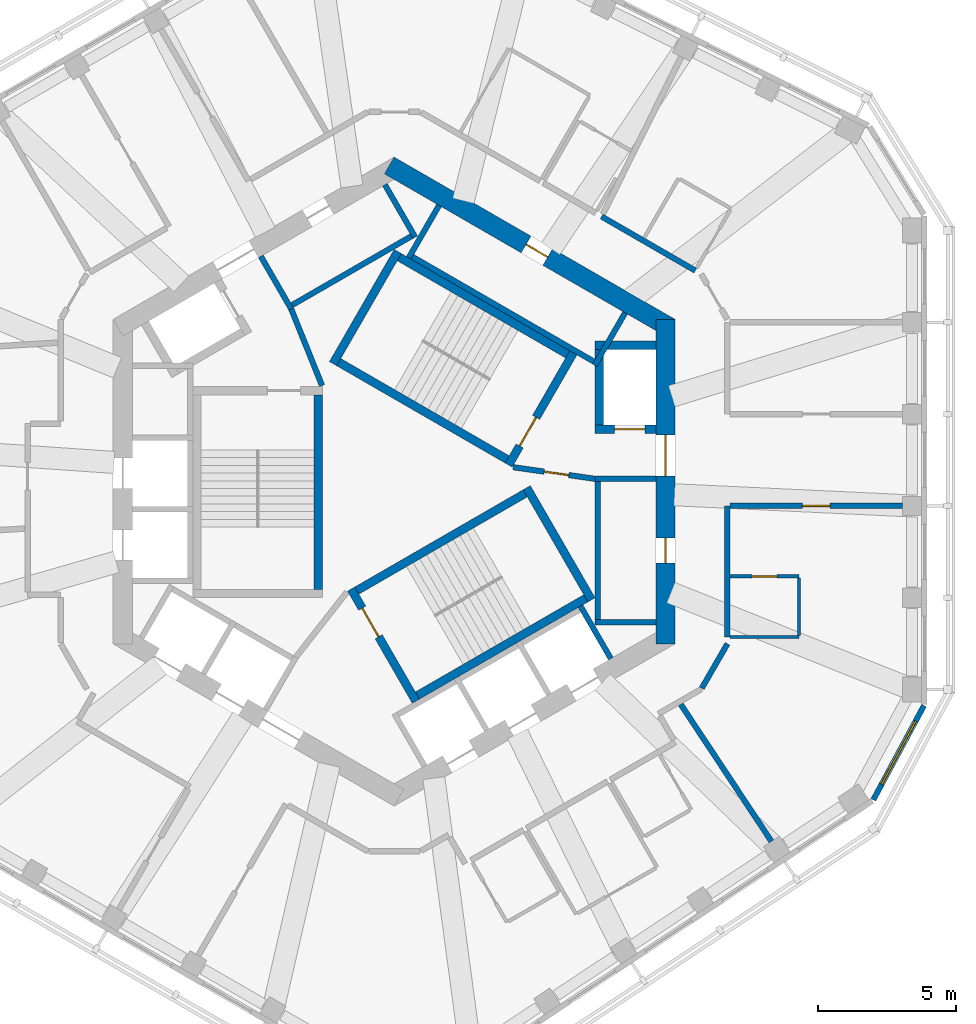
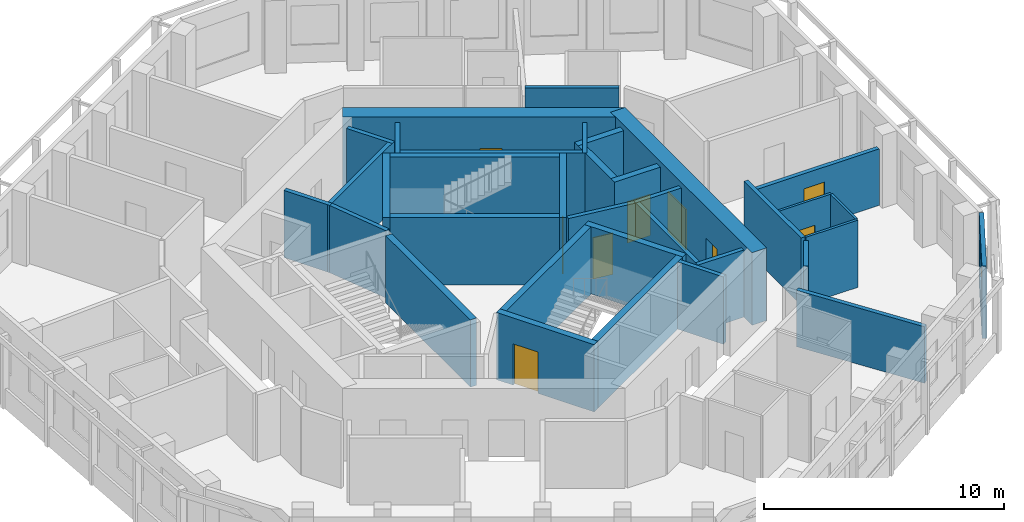
# One storey, part 6 of 11: 35 walls, 9 doors, 1 window, 10 openings.
"""IFC4 building model written with IfcOpenShell, lengths in metres."""

import ifcopenshell
import ifcopenshell.guid

model = None  # the IFC model being written
_history = None  # IfcOwnerHistory: only IFC2X3 demands one
_inside = {}  # id of a spatial element -> (the spatial element, [elements in it])
_under = {}  # id of a project, library or spatial element -> (it, [spatial elements below it])
_declared = {}  # id of a project -> (the project, [libraries it declares])
_typed = {}  # id of a type object -> (the type object, [elements of that type])
_made_of = {}  # id of a material, layer set ... -> (it, [elements and type objects made of it])


def new_model(schema):
    """Start an empty IFC model of exactly this schema.

    Asked for "IFC4X3", IfcOpenShell would pick the latest addendum, in which some entities
    have other attributes; the version numbers below select the first issue.
    IFC2X3 requires an IfcOwnerHistory on every rooted entity: one is made here for all.
    """
    global model, _history
    if schema == "IFC4X3":
        model = ifcopenshell.file(schema_version=(4, 3, 0, 0))
    else:
        model = ifcopenshell.file(schema=schema)
    _inside.clear()
    _under.clear()
    _declared.clear()
    _typed.clear()
    _made_of.clear()
    _history = None
    if model.schema == "IFC2X3":
        org = make("IfcOrganization", Name="unknown")
        user = make(
            "IfcPersonAndOrganization",
            ThePerson=make("IfcPerson", FamilyName="unknown"),
            TheOrganization=org,
        )
        app = make(
            "IfcApplication",
            ApplicationDeveloper=org,
            Version="unknown",
            ApplicationFullName="unknown",
            ApplicationIdentifier="unknown",
        )
        _history = make(
            "IfcOwnerHistory",
            OwningUser=user,
            OwningApplication=app,
            ChangeAction="ADDED",
            CreationDate=0,
        )
    return model


def make(cls, **values):
    """One entity of the class cls with the attributes given. An attribute that is None is left unset."""
    return model.create_entity(
        cls, **{name: value for name, value in values.items() if value is not None}
    )


def rooted(cls, **values):
    """An entity with a GlobalId (a new one), such as an element, a storey or a relation."""
    return make(cls, GlobalId=ifcopenshell.guid.new(), OwnerHistory=_history, **values)


def si_unit(unit_type, name, prefix=None):
    """IfcSIUnit, for example si_unit("LENGTHUNIT", "METRE", prefix="MILLI")."""
    return make("IfcSIUnit", UnitType=unit_type, Prefix=prefix, Name=name)


def assignment(units):
    """IfcUnitAssignment: the units of a project."""
    return None if units is None else make("IfcUnitAssignment", Units=units)


def point(xyz):
    """IfcCartesianPoint."""
    return None if xyz is None else make("IfcCartesianPoint", Coordinates=xyz)


def direction(xyz):
    """IfcDirection."""
    return None if xyz is None else make("IfcDirection", DirectionRatios=xyz)


def frame(location, z_axis=None, x_axis=None):
    """IfcAxis2Placement3D, a coordinate frame: its origin and axes. An axis left out is left unset."""
    return make(
        "IfcAxis2Placement3D",
        Location=point(location),
        Axis=direction(z_axis),
        RefDirection=direction(x_axis),
    )


def frame_2d(location, x_axis=None):
    """IfcAxis2Placement2D, a coordinate frame in the plane: its origin and x axis."""
    return make(
        "IfcAxis2Placement2D", Location=point(location), RefDirection=direction(x_axis)
    )


def origin():
    """The frame at (0, 0, 0) with its axes left unset."""
    return frame((0.0, 0.0, 0.0))


def place(relative_to, where):
    """IfcLocalPlacement: puts the frame where relative to a parent placement (None: the world)."""
    return make(
        "IfcLocalPlacement", PlacementRelTo=relative_to, RelativePlacement=where
    )


def context(
    kind, dimensions, precision=None, world=None, true_north=None, identifier=None
):
    """IfcGeometricRepresentationContext, for example the 3D "Model" context."""
    return make(
        "IfcGeometricRepresentationContext",
        ContextIdentifier=identifier,
        ContextType=kind,
        CoordinateSpaceDimension=dimensions,
        Precision=precision,
        WorldCoordinateSystem=world,
        TrueNorth=true_north,
    )


def subcontext(parent, identifier, kind, view, scale=None):
    """IfcGeometricRepresentationSubContext, for example "Body" below "Model"."""
    return make(
        "IfcGeometricRepresentationSubContext",
        ContextIdentifier=identifier,
        ContextType=kind,
        ParentContext=parent,
        TargetScale=scale,
        TargetView=view,
    )


def project(units=None, contexts=None):
    """IfcProject with its units and contexts."""
    return rooted(
        "IfcProject",
        Name="project",
        RepresentationContexts=contexts,
        UnitsInContext=assignment(units),
    )


def spatial(cls, under=None, at=None, **own):
    """A site, building, storey or space (cls), placed at a placement, below another one or the project."""
    s = rooted(cls, ObjectPlacement=at, **own)
    if under is not None:
        _under.setdefault(under.id(), (under, []))[1].append(s)
    return s


def profile(cls, at=None, kind="AREA", **sizes):
    """A parametric profile (cls). Its sizes go by their IFC names, for example OverallWidth=200.0."""
    return make(cls, ProfileType=kind, Position=at, **sizes)


def rectangle(**sizes):
    """IfcRectangleProfileDef."""
    return profile("IfcRectangleProfileDef", **sizes)


def extrude(swept, where, along, depth):
    """IfcExtrudedAreaSolid: the profile swept, set in the frame where, extruded along a direction by depth."""
    return make(
        "IfcExtrudedAreaSolid",
        SweptArea=swept,
        Position=where,
        ExtrudedDirection=direction(along),
        Depth=depth,
    )


def shape(context_of_items, identifier, shape_type, items):
    """IfcShapeRepresentation: the items that make up one representation, for example the "Body"."""
    return make(
        "IfcShapeRepresentation",
        ContextOfItems=context_of_items,
        RepresentationIdentifier=identifier,
        RepresentationType=shape_type,
        Items=items,
    )


def material(Name=None, Category=None):
    """IfcMaterial."""
    return make("IfcMaterial", Name=Name, Category=Category)


def layer(
    of_material, thickness, ventilated=None, Name=None, Category=None, Priority=None
):
    """IfcMaterialLayer: one layer of a wall or slab, of a material (None: an air gap)."""
    return make(
        "IfcMaterialLayer",
        Material=of_material,
        LayerThickness=thickness,
        IsVentilated=ventilated,
        Name=Name,
        Category=Category,
        Priority=Priority,
    )


def layer_set(layers, Name=None):
    """IfcMaterialLayerSet."""
    return make("IfcMaterialLayerSet", MaterialLayers=layers, LayerSetName=Name)


def made_of(thing, what):
    """Note that an element or type object is made of a material, layer set ...; save() writes the relation."""
    if what is not None:
        _made_of.setdefault(what.id(), (what, []))[1].append(thing)
    return thing


def type_object(cls, material=None, **own):
    """A type object (cls), such as IfcWallType, which elements share."""
    return made_of(rooted(cls, **own), material)


def element(
    cls,
    number,
    at=None,
    inside=None,
    cuts=None,
    type_object=None,
    material=None,
    context=None,
    identifier="Body",
    shape_type=None,
    held_by="IfcProductDefinitionShape",
    body=None,
    shapes=None,
    **own,
):
    """One element of the class cls, such as IfcWall. Its Tag is "e" and its number.

    at: its placement. inside: the storey or other place that contains it. cuts: it is an
    opening in that element (IfcRelVoidsElement). A single representation is given by context,
    identifier, shape_type and body (its items); several are given by shapes. held_by: the class
    of the entity that holds the representations. save() writes the other relations.
    """
    e = rooted(cls, Tag="e%d" % number, ObjectPlacement=at, **own)
    if body is not None:
        shapes = [shape(context, identifier, shape_type, body)]
    if shapes is not None:
        e.Representation = make(held_by, Representations=shapes)
    if inside is not None:
        _inside.setdefault(inside.id(), (inside, []))[1].append(e)
    if cuts is not None:
        rooted(
            "IfcRelVoidsElement", RelatingBuildingElement=cuts, RelatedOpeningElement=e
        )
    if type_object is not None:
        _typed.setdefault(type_object.id(), (type_object, []))[1].append(e)
    return made_of(e, material)


def fill(opening, filler):
    """IfcRelFillsElement: the door or window that sits in an opening."""
    return rooted(
        "IfcRelFillsElement",
        RelatingOpeningElement=opening,
        RelatedBuildingElement=filler,
    )


def aggregate(whole, parts):
    """IfcRelAggregates: a whole, such as a stair, and the parts it consists of."""
    return rooted("IfcRelAggregates", RelatingObject=whole, RelatedObjects=parts)


def save(model, path):
    """Write the relations noted so far, then the file.

    IfcRelAggregates (storeys below a building ...), IfcRelContainedInSpatialStructure (elements
    in a storey), IfcRelDefinesByType, IfcRelAssociatesMaterial and IfcRelDeclares: one each for
    every whole, place, type object, material and project.
    """
    for whole, parts in _under.values():
        aggregate(whole, parts)
    for where, things in _inside.values():
        rooted(
            "IfcRelContainedInSpatialStructure",
            RelatedElements=things,
            RelatingStructure=where,
        )
    for kind, things in _typed.values():
        rooted("IfcRelDefinesByType", RelatedObjects=things, RelatingType=kind)
    for what, things in _made_of.values():
        rooted("IfcRelAssociatesMaterial", RelatedObjects=things, RelatingMaterial=what)
    for by, libraries in _declared.values():
        rooted("IfcRelDeclares", RelatingContext=by, RelatedDefinitions=libraries)
    model.write(path)


model = new_model("IFC4")

# Units and contexts
model_context = context("Model", 3, precision=1e-05, world=origin(), true_north=direction((0.0, 1.0)))
body_context = subcontext(model_context, "Body", "Model", "MODEL_VIEW")
ifc_project = project(units=[si_unit("LENGTHUNIT", "METRE"), si_unit("AREAUNIT", "SQUARE_METRE"), si_unit("VOLUMEUNIT", "CUBIC_METRE"), si_unit("PLANEANGLEUNIT", "RADIAN"), si_unit("MASSUNIT", "GRAM", prefix="KILO")], contexts=[model_context])

# Site, building, storey
site_placement = place(None, origin())
site = spatial("IfcSite", under=ifc_project, at=site_placement, CompositionType="ELEMENT")
building_placement = place(site_placement, origin())
building = spatial("IfcBuilding", under=site, at=building_placement, Name="Vanh Sen Convention Tower", CompositionType="ELEMENT")
storey_placement = place(building_placement, frame((0.0, 0.0, 293.10009765625)))
storey = spatial("IfcBuildingStorey", under=building, at=storey_placement, Name="L72", CompositionType="ELEMENT", Elevation=293.10009765625)

# Wall, opening, door
ifc_material_1 = material(Name="Moisture-resistant gypsum board on steel studs", Category="steel")
ifc_layer_1 = layer(ifc_material_1, 0.1201171875)
ifc_layer_set_1 = layer_set([ifc_layer_1], Name="Moisture-resistant gypsum board on steel studs")
wall_type_1 = type_object("IfcWallType", Name="Bathroom partition 120", PredefinedType="PARTITIONING", material=ifc_layer_set_1)
wall_1_placement = place(storey_placement, frame((12.199951171875, -3.43896484375, 0.0), z_axis=(0.0, 0.0, 1.0), x_axis=(1.0, 0.0, 0.0)))
wall_1 = element("IfcWall", 1, at=wall_1_placement, inside=storey, type_object=wall_type_1, Name="Bathroom partition 120", PredefinedType="PARTITIONING", context=body_context, shape_type="SweptSolid", body=[
    extrude(rectangle(XDim=2.5, YDim=0.1201171875, at=frame_2d((1.25, 0.0))), origin(), (0.0, 0.0, 1.0), 3.419921875),
])
opening_1_placement = place(wall_1_placement, frame((0.800048828125, 0.0, 0.0)))
opening_1 = element("IfcOpeningElement", 2, at=opening_1_placement, cuts=wall_1, Name="Opening D72120", PredefinedType="OPENING", context=body_context, shape_type="SweptSolid", body=[
    extrude(rectangle(XDim=0.89990234375, YDim=2.10009765625, at=frame_2d((0.449951171875, 1.050048828125))), frame((0.0, 0.070068359375, 0.0), z_axis=(0.0, -1.0, 0.0), x_axis=(1.0, 0.0, 0.0)), (0.0, 0.0, 1.0), 0.14013671875),
])
ifc_material_2 = material(Name="Laminate door in steel frame", Category="steel")
door_type_1 = type_object("IfcDoorType", Name="Room internal door 900", OperationType="SINGLE_SWING_LEFT", PredefinedType="DOOR", material=ifc_material_2)
door_1_placement = place(opening_1_placement, origin())
door_1 = element("IfcDoor", 3, at=door_1_placement, inside=storey, type_object=door_type_1, Name="Internal room door D72120", OperationType="SINGLE_SWING_LEFT", OverallHeight=2.10009765625, OverallWidth=0.89990234375, PredefinedType="DOOR", context=body_context, shape_type="SweptSolid", body=[
    extrude(rectangle(XDim=0.89990234375, YDim=2.10009765625, at=frame_2d((0.449951171875, 1.050048828125))), frame((0.0, 0.02490234375, 0.0), z_axis=(0.0, -1.0, 0.0), x_axis=(1.0, 0.0, 0.0)), (0.0, 0.0, 1.0), 0.050048828125),
])
fill(opening_1, door_1)

# Walls
wall_2_placement = place(storey_placement, frame((14.699951171875, -5.638916015625, 0.0), z_axis=(0.0, 0.0, 1.0), x_axis=(-1.0, 0.0, 0.0)))
element("IfcWall", 4, at=wall_2_placement, inside=storey, type_object=wall_type_1, Name="Bathroom partition 120", PredefinedType="PARTITIONING", context=body_context, shape_type="SweptSolid", body=[
    extrude(rectangle(XDim=2.5, YDim=0.1201171875, at=frame_2d((1.25, 0.0))), origin(), (0.0, 0.0, 1.0), 3.419921875),
])
wall_3_placement = place(storey_placement, frame((14.699951171875, -3.4990234375, 0.0), z_axis=(0.0, 0.0, 1.0), x_axis=(0.0, -1.0, 0.0)))
element("IfcWall", 5, at=wall_3_placement, inside=storey, type_object=wall_type_1, Name="Bathroom partition 120", PredefinedType="PARTITIONING", context=body_context, shape_type="SweptSolid", body=[
    extrude(rectangle(XDim=2.080078125, YDim=0.1201171875, at=frame_2d((1.0400390625, 0.0))), origin(), (0.0, 0.0, 1.0), 3.419921875),
])

# Wall, openings, doors
ifc_material_3 = material(Name="Concrete C60/75", Category="concrete")
ifc_layer_2 = layer(ifc_material_3, 0.699951171875)
ifc_layer_set_2 = layer_set([ifc_layer_2], Name="Concrete C60/75")
wall_type_2 = type_object("IfcWallType", Name="Core outer wall 700 C60/75", PredefinedType="SHEAR", material=ifc_layer_set_2)
wall_4_placement = place(storey_placement, frame((9.85009765625, -5.888916015625, 0.0), z_axis=(0.0, 0.0, 1.0), x_axis=(0.0, 1.0, 0.0)))
wall_4 = element("IfcWall", 6, at=wall_4_placement, inside=storey, type_object=wall_type_2, Name="Core wall face E L72", PredefinedType="SHEAR", context=body_context, shape_type="SweptSolid", body=[
    extrude(rectangle(XDim=11.77783203125, YDim=0.699951171875, at=frame_2d((5.888916015625, 0.0))), origin(), (0.0, 0.0, 1.0), 3.699951171875),
])
opening_2_placement = place(wall_4_placement, frame((6.089111328125, 0.0, 0.0)))
opening_2 = element("IfcOpeningElement", 7, at=opening_2_placement, cuts=wall_4, Name="Opening D72001", PredefinedType="OPENING", context=body_context, shape_type="SweptSolid", body=[
    extrude(rectangle(XDim=1.5, YDim=2.10009765625, at=frame_2d((0.75, 1.050048828125))), frame((0.0, 0.35986328125, 0.0), z_axis=(0.0, -1.0, 0.0), x_axis=(1.0, 0.0, 0.0)), (0.0, 0.0, 1.0), 0.719970703125),
])
opening_3_placement = place(wall_4_placement, frame((2.93896484375, 0.0, 0.0)))
opening_3 = element("IfcOpeningElement", 8, at=opening_3_placement, cuts=wall_4, Name="Opening D72008", PredefinedType="OPENING", context=body_context, shape_type="SweptSolid", body=[
    extrude(rectangle(XDim=0.89990234375, YDim=2.10009765625, at=frame_2d((0.449951171875, 1.050048828125))), frame((0.0, 0.35986328125, 0.0), z_axis=(0.0, -1.0, 0.0), x_axis=(1.0, 0.0, 0.0)), (0.0, 0.0, 1.0), 0.719970703125),
])
ifc_material_4 = material(Name="Steel S355", Category="steel")
door_type_2 = type_object("IfcDoorType", Name="Plant door 900", OperationType="SINGLE_SWING_LEFT", PredefinedType="DOOR", material=ifc_material_4)
door_2_placement = place(opening_3_placement, origin())
door_2 = element("IfcDoor", 9, at=door_2_placement, inside=storey, type_object=door_type_2, Name="Plant door D72008", OperationType="SINGLE_SWING_LEFT", OverallHeight=2.10009765625, OverallWidth=0.89990234375, PredefinedType="DOOR", context=body_context, shape_type="SweptSolid", body=[
    extrude(rectangle(XDim=0.89990234375, YDim=2.10009765625, at=frame_2d((0.449951171875, 1.050048828125))), frame((0.0, 0.02490234375, 0.0), z_axis=(0.0, -1.0, 0.0), x_axis=(1.0, 0.0, 0.0)), (0.0, 0.0, 1.0), 0.050048828125),
])
fill(opening_3, door_2)
door_type_3 = type_object("IfcDoorType", Name="Stair lobby door 1500", OperationType="DOUBLE_DOOR_SINGLE_SWING", PredefinedType="DOOR", material=ifc_material_4)
door_3_placement = place(opening_2_placement, origin())
door_3 = element("IfcDoor", 10, at=door_3_placement, inside=storey, type_object=door_type_3, Name="Stair lobby door D72001", OperationType="DOUBLE_DOOR_SINGLE_SWING", OverallHeight=2.10009765625, OverallWidth=1.5, PredefinedType="DOOR", context=body_context, shape_type="SweptSolid", body=[
    extrude(rectangle(XDim=1.5, YDim=2.10009765625, at=frame_2d((0.75, 1.050048828125))), frame((0.0, 0.02490234375, 0.0), z_axis=(0.0, -1.0, 0.0), x_axis=(1.0, 0.0, 0.0)), (0.0, 0.0, 1.0), 0.050048828125),
])
fill(opening_2, door_3)

# Wall, opening, door
wall_5_placement = place(storey_placement, frame((10.02490234375, 5.5859375, 0.0), z_axis=(0.0, 0.0, 1.0), x_axis=(-0.866026453023, 0.499998182661, 0.0)))
wall_5 = element("IfcWall", 11, at=wall_5_placement, inside=storey, type_object=wall_type_2, Name="Core wall face NE L72", PredefinedType="SHEAR", context=body_context, shape_type="SweptSolid", body=[
    extrude(rectangle(XDim=11.77783203125, YDim=0.699951171875, at=frame_2d((5.888916015625, 0.0))), origin(), (0.0, 0.0, 1.0), 3.699951171875),
])
opening_4_placement = place(wall_5_placement, frame((5.138916015625, 0.0, 0.0)))
opening_4 = element("IfcOpeningElement", 12, at=opening_4_placement, cuts=wall_5, Name="Opening D72009", PredefinedType="OPENING", context=body_context, shape_type="SweptSolid", body=[
    extrude(rectangle(XDim=0.89990234375, YDim=2.10009765625, at=frame_2d((0.449951171875, 1.050048828125))), frame((0.0, 0.35986328125, 0.0), z_axis=(0.0, -1.0, 0.0), x_axis=(1.0, 0.0, 0.0)), (0.0, 0.0, 1.0), 0.719970703125),
])
door_4_placement = place(opening_4_placement, origin())
door_4 = element("IfcDoor", 13, at=door_4_placement, inside=storey, type_object=door_type_2, Name="Plant door D72009", OperationType="SINGLE_SWING_LEFT", OverallHeight=2.10009765625, OverallWidth=0.89990234375, PredefinedType="DOOR", context=body_context, shape_type="SweptSolid", body=[
    extrude(rectangle(XDim=0.89990234375, YDim=2.10009765625, at=frame_2d((0.449951171875, 1.050048828125))), frame((0.0, 0.02490234375, 0.0), z_axis=(0.0, -1.0, 0.0), x_axis=(1.0, 0.0, 0.0)), (0.0, 0.0, 1.0), 0.050048828125),
])
fill(opening_4, door_4)

# Walls
ifc_material_5 = material(Name="Gypsum board on steel studs with mineral wool", Category="steel")
ifc_layer_3 = layer(ifc_material_5, 0.199951171875)
ifc_layer_set_3 = layer_set([ifc_layer_3], Name="Gypsum board on steel studs with mineral wool")
wall_type_3 = type_object("IfcWallType", Name="Corridor partition wall 200", PredefinedType="PARTITIONING", material=ifc_layer_set_3)
wall_6_placement = place(storey_placement, frame((10.93359375, 7.659423828125, 0.0), z_axis=(0.0, 0.0, 1.0), x_axis=(-0.866034411203, 0.499984398369, 0.0)))
element("IfcWall", 14, at=wall_6_placement, inside=storey, type_object=wall_type_3, Name="Corridor partition wall 200", PredefinedType="PARTITIONING", context=body_context, shape_type="SweptSolid", body=[
    extrude(rectangle(XDim=3.926513671875, YDim=0.199951171875, at=frame_2d((1.96337890625, 0.0))), origin(), (0.0, 0.0, 1.0), 3.419921875),
])
wall_7_placement = place(storey_placement, frame((11.169921875, -7.5, 0.0), z_axis=(0.0, 0.0, 1.0), x_axis=(0.500006454166, 0.866021677438, 0.0)))
element("IfcWall", 15, at=wall_7_placement, inside=storey, type_object=wall_type_3, Name="Corridor partition wall 200", PredefinedType="PARTITIONING", context=body_context, shape_type="SweptSolid", body=[
    extrude(rectangle(XDim=1.8603515625, YDim=0.199951171875, at=frame_2d((0.93017578125, 0.0))), origin(), (0.0, 0.0, 1.0), 3.419921875),
])
wall_8_placement = place(storey_placement, frame((12.10009765625, -5.638916015625, 0.0), z_axis=(0.0, 0.0, 1.0), x_axis=(0.0, 1.0, 0.0)))
element("IfcWall", 16, at=wall_8_placement, inside=storey, type_object=wall_type_3, Name="Corridor partition wall 200", PredefinedType="PARTITIONING", context=body_context, shape_type="SweptSolid", body=[
    extrude(rectangle(XDim=4.755615234375, YDim=0.199951171875, at=frame_2d((2.3779296875, 0.0))), origin(), (0.0, 0.0, 1.0), 3.419921875),
])

# Wall, opening, door
wall_9_placement = place(storey_placement, frame((12.199951171875, -0.88330078125, 0.0), z_axis=(0.0, 0.0, 1.0), x_axis=(1.0, 0.0, 0.0)))
wall_9 = element("IfcWall", 17, at=wall_9_placement, inside=storey, type_object=wall_type_3, Name="Corridor partition wall 200", PredefinedType="PARTITIONING", context=body_context, shape_type="SweptSolid", body=[
    extrude(rectangle(XDim=6.25, YDim=0.199951171875, at=frame_2d((3.125, 0.0))), origin(), (0.0, 0.0, 1.0), 2.869873046875),
])
opening_5_placement = place(wall_9_placement, frame((2.625, 0.0, 0.0)))
opening_5 = element("IfcOpeningElement", 18, at=opening_5_placement, cuts=wall_9, Name="Opening D72119", PredefinedType="OPENING", context=body_context, shape_type="SweptSolid", body=[
    extrude(rectangle(XDim=1.0, YDim=2.10009765625, at=frame_2d((0.5, 1.050048828125))), frame((0.0, 0.10986328125, 0.0), z_axis=(0.0, -1.0, 0.0), x_axis=(1.0, 0.0, 0.0)), (0.0, 0.0, 1.0), 0.219970703125),
])
ifc_material_6 = material(Name="Glazed fire door in steel frame", Category="steel")
door_type_4 = type_object("IfcDoorType", Name="Tenant entrance door 1000", OperationType="SINGLE_SWING_LEFT", PredefinedType="DOOR", material=ifc_material_6)
door_5_placement = place(opening_5_placement, origin())
door_5 = element("IfcDoor", 19, at=door_5_placement, inside=storey, type_object=door_type_4, Name="Tenant suite entrance door D72119", OperationType="SINGLE_SWING_LEFT", OverallHeight=2.10009765625, OverallWidth=1.0, PredefinedType="DOOR", context=body_context, shape_type="SweptSolid", body=[
    extrude(rectangle(XDim=1.0, YDim=2.10009765625, at=frame_2d((0.5, 1.050048828125))), frame((0.0, 0.02490234375, 0.0), z_axis=(0.0, -1.0, 0.0), x_axis=(1.0, 0.0, 0.0)), (0.0, 0.0, 1.0), 0.050048828125),
])
fill(opening_5, door_5)

# Wall, opening, window
ifc_material_7 = material(Name="Insulated lightweight infill wall")
ifc_layer_4 = layer(ifc_material_7, 0.199951171875)
ifc_layer_set_4 = layer_set([ifc_layer_4], Name="Insulated lightweight infill wall")
wall_type_4 = type_object("IfcWallType", Name="External wall 200", PredefinedType="STANDARD", material=ifc_layer_set_4)
wall_10_placement = place(storey_placement, frame((17.39892578125, -11.55419921875, 0.0), z_axis=(0.0, 0.0, 1.0), x_axis=(0.473309051311, 0.880896442238, 0.0)))
wall_10 = element("IfcWall", 20, at=wall_10_placement, inside=storey, type_object=wall_type_4, Name="External wall CH6 L72", PredefinedType="STANDARD", context=body_context, shape_type="SweptSolid", body=[
    extrude(rectangle(XDim=3.8857421875, YDim=0.199951171875, at=frame_2d((1.94287109375, 0.0))), origin(), (0.0, 0.0, 1.0), 3.699951171875),
])
opening_6_placement = place(wall_10_placement, frame((0.642822265625, 0.0, 0.89990234375)))
opening_6 = element("IfcOpeningElement", 21, at=opening_6_placement, cuts=wall_10, Name="Opening WO6-CH61", PredefinedType="OPENING", context=body_context, shape_type="SweptSolid", body=[
    extrude(rectangle(XDim=2.60009765625, YDim=2.0, at=frame_2d((1.300048828125, 1.0))), frame((0.0, 0.10986328125, 0.0), z_axis=(0.0, -1.0, 0.0), x_axis=(1.0, 0.0, 0.0)), (0.0, 0.0, 1.0), 0.219970703125),
])
ifc_material_8 = material(Name="Aluminium frame with clear low-emissivity glass", Category="aluminium")
window_type = type_object("IfcWindowType", Name="Office window 2600 x 2000", PartitioningType="SINGLE_PANEL", PredefinedType="WINDOW", material=ifc_material_8)
window_placement = place(opening_6_placement, origin())
window = element("IfcWindow", 22, at=window_placement, inside=storey, type_object=window_type, Name="Window WO6-CH61", OverallHeight=2.0, OverallWidth=2.60009765625, PartitioningType="SINGLE_PANEL", PredefinedType="WINDOW", context=body_context, shape_type="SweptSolid", body=[
    extrude(rectangle(XDim=2.60009765625, YDim=2.0, at=frame_2d((1.300048828125, 1.0))), frame((0.0, 0.030029296875, 0.0), z_axis=(0.0, -1.0, 0.0), x_axis=(1.0, 0.0, 0.0)), (0.0, 0.0, 1.0), 0.06005859375),
])
fill(opening_6, window)

# Wall, opening, door
ifc_layer_5 = layer(ifc_material_3, 0.300048828125)
ifc_layer_set_5 = layer_set([ifc_layer_5], Name="Concrete C60/75")
wall_type_5 = type_object("IfcWallType", Name="Fire-fighting lift shaft wall 300", PredefinedType="SHEAR", material=ifc_layer_set_5)
wall_11_placement = place(storey_placement, frame((7.300048828125, 1.89990234375, 0.0), z_axis=(0.0, 0.0, 1.0), x_axis=(1.0, 0.0, 0.0)))
wall_11 = element("IfcWall", 23, at=wall_11_placement, inside=storey, type_object=wall_type_5, Name="Fire-fighting lift shaft wall L72", PredefinedType="SHEAR", context=body_context, shape_type="SweptSolid", body=[
    extrude(rectangle(XDim=2.199951171875, YDim=0.300048828125, at=frame_2d((1.10009765625, 0.0))), origin(), (0.0, 0.0, 1.0), 3.419921875),
])
opening_7_placement = place(wall_11_placement, frame((0.699951171875, 0.0, 0.0)))
opening_7 = element("IfcOpeningElement", 24, at=opening_7_placement, cuts=wall_11, Name="Opening LD-FF1", PredefinedType="OPENING", context=body_context, shape_type="SweptSolid", body=[
    extrude(rectangle(XDim=1.10009765625, YDim=2.10009765625, at=frame_2d((0.550048828125, 1.050048828125))), frame((0.0, 0.159912109375, 0.0), z_axis=(0.0, -1.0, 0.0), x_axis=(1.0, 0.0, 0.0)), (0.0, 0.0, 1.0), 0.320068359375),
])
ifc_material_9 = material(Name="Stainless steel", Category="steel")
door_type_5 = type_object("IfcDoorType", Name="Fire-fighting lift landing door 1100", OperationType="DOUBLE_DOOR_SLIDING", PredefinedType="DOOR", material=ifc_material_9)
door_6_placement = place(opening_7_placement, origin())
door_6 = element("IfcDoor", 25, at=door_6_placement, inside=storey, type_object=door_type_5, Name="Lift FF1 landing door LD-FF1", OperationType="DOUBLE_DOOR_SLIDING", OverallHeight=2.10009765625, OverallWidth=1.10009765625, PredefinedType="DOOR", context=body_context, shape_type="SweptSolid", body=[
    extrude(rectangle(XDim=1.10009765625, YDim=2.10009765625, at=frame_2d((0.550048828125, 1.050048828125))), frame((0.0, 0.02490234375, 0.0), z_axis=(0.0, -1.0, 0.0), x_axis=(1.0, 0.0, 0.0)), (0.0, 0.0, 1.0), 0.050048828125),
])
fill(opening_7, door_6)

# Walls
wall_12_placement = place(storey_placement, frame((7.449951171875, 1.75, 0.0), z_axis=(0.0, 0.0, 1.0), x_axis=(0.0, 1.0, 0.0)))
element("IfcWall", 26, at=wall_12_placement, inside=storey, type_object=wall_type_5, Name="Fire-fighting lift shaft wall L72", PredefinedType="SHEAR", context=body_context, shape_type="SweptSolid", body=[
    extrude(rectangle(XDim=3.35009765625, YDim=0.300048828125, at=frame_2d((1.675048828125, 0.0))), origin(), (0.0, 0.0, 1.0), 3.419921875),
])
wall_13_placement = place(storey_placement, frame((7.300048828125, 4.949951171875, 0.0), z_axis=(0.0, 0.0, 1.0), x_axis=(1.0, 0.0, 0.0)))
element("IfcWall", 27, at=wall_13_placement, inside=storey, type_object=wall_type_5, Name="Fire-fighting lift shaft wall L72", PredefinedType="SHEAR", context=body_context, shape_type="SweptSolid", body=[
    extrude(rectangle(XDim=2.199951171875, YDim=0.300048828125, at=frame_2d((1.10009765625, 0.0))), origin(), (0.0, 0.0, 1.0), 3.419921875),
])
ifc_material_10 = material(Name="Concrete C40/50", Category="concrete")
ifc_layer_6 = layer(ifc_material_10, 0.199951171875)
ifc_layer_set_6 = layer_set([ifc_layer_6], Name="Concrete C40/50")
wall_type_6 = type_object("IfcWallType", Name="Lift shaft wall 200", PredefinedType="PARTITIONING", material=ifc_layer_set_6)
wall_14_placement = place(storey_placement, frame((7.39990234375, -5.199951171875, 0.0), z_axis=(0.0, 0.0, 1.0), x_axis=(0.0, 1.0, 0.0)))
element("IfcWall", 28, at=wall_14_placement, inside=storey, type_object=wall_type_6, Name="Lift shaft wall L72", PredefinedType="PARTITIONING", context=body_context, shape_type="SweptSolid", body=[
    extrude(rectangle(XDim=5.39990234375, YDim=0.199951171875, at=frame_2d((2.699951171875, 0.0))), origin(), (0.0, 0.0, 1.0), 3.419921875),
])
for number, where, z_axis, x_axis, name in (
    (29, (7.300048828125, -5.10009765625, 0.0), (0.0, 0.0, 1.0), (1.0, 0.0, 0.0), "Lift shaft wall L72"),
    (30, (7.300048828125, 0.10009765625, 0.0), (0.0, 0.0, 1.0), (1.0, 0.0, 0.0), "Lift shaft wall L72"),
):
    element("IfcWall", number, at=place(storey_placement, frame(where, z_axis=z_axis, x_axis=x_axis)), inside=storey, type_object=wall_type_6, Name=name, PredefinedType="PARTITIONING", context=body_context, shape_type="SweptSolid", body=[
        extrude(rectangle(XDim=2.199951171875, YDim=0.199951171875, at=frame_2d((1.10009765625, 0.0))), origin(), (0.0, 0.0, 1.0), 3.419921875),
    ])
wall_15_placement = place(storey_placement, frame((7.423828125, 4.258544921875, 0.0), z_axis=(0.0, 0.0, 1.0), x_axis=(-0.866026010844, 0.49999894854, 0.0)))
element("IfcWall", 31, at=wall_15_placement, inside=storey, type_object=wall_type_6, Name="Lift shaft wall L72", PredefinedType="PARTITIONING", context=body_context, shape_type="SweptSolid", body=[
    extrude(rectangle(XDim=8.0, YDim=0.199951171875, at=frame_2d((4.0, 0.0))), origin(), (0.0, 0.0, 1.0), 3.419921875),
])
for number, where, z_axis, x_axis, name in (
    (32, (7.287353515625, 4.221923828125, 0.0), (0.0, 0.0, 1.0), (0.499946605688, 0.86605622881, 0.0), "Lift shaft wall L72"),
    (33, (0.5322265625, 8.1220703125, 0.0), (0.0, 0.0, 1.0), (0.500077893725, 0.86598042715, 0.0), "Lift shaft wall L72"),
):
    element("IfcWall", number, at=place(storey_placement, frame(where, z_axis=z_axis, x_axis=x_axis)), inside=storey, type_object=wall_type_6, Name=name, PredefinedType="PARTITIONING", context=body_context, shape_type="SweptSolid", body=[
        extrude(rectangle(XDim=2.199951171875, YDim=0.199951171875, at=frame_2d((1.10009765625, 0.0))), origin(), (0.0, 0.0, 1.0), 3.419921875),
    ])
wall_16_placement = place(storey_placement, frame((0.80322265625, 9.008544921875, 0.0), z_axis=(0.0, 0.0, 1.0), x_axis=(-0.866028230842, -0.499995103361, 0.0)))
element("IfcWall", 34, at=wall_16_placement, inside=storey, type_object=wall_type_6, Name="Lift shaft wall L72", PredefinedType="PARTITIONING", context=body_context, shape_type="SweptSolid", body=[
    extrude(rectangle(XDim=5.39990234375, YDim=0.199951171875, at=frame_2d((2.699951171875, 0.0))), origin(), (0.0, 0.0, 1.0), 3.419921875),
])
wall_17_placement = place(storey_placement, frame((0.7666015625, 8.8720703125, 0.0), z_axis=(0.0, 0.0, 1.0), x_axis=(-0.499994660107, 0.866028486751, 0.0)))
element("IfcWall", 35, at=wall_17_placement, inside=storey, type_object=wall_type_6, Name="Lift shaft wall L72", PredefinedType="PARTITIONING", context=body_context, shape_type="SweptSolid", body=[
    extrude(rectangle(XDim=2.19970703125, YDim=0.199951171875, at=frame_2d((1.099853515625, 0.0))), origin(), (0.0, 0.0, 1.0), 3.419921875),
])
for number, where, z_axis, x_axis, name in (
    (36, (-3.736572265625, 6.27197265625, 0.0), (0.0, 0.0, 1.0), (-0.50002983664, 0.866008176907, 0.0), "Lift shaft wall L72"),
    (37, (6.767578125, -4.52197265625, 0.0), (0.0, 0.0, 1.0), (0.50002983664, -0.866008176907, 0.0), "Lift shaft wall L72"),
):
    element("IfcWall", number, at=place(storey_placement, frame(where, z_axis=z_axis, x_axis=x_axis)), inside=storey, type_object=wall_type_6, Name=name, PredefinedType="PARTITIONING", context=body_context, shape_type="SweptSolid", body=[
        extrude(rectangle(XDim=2.199951171875, YDim=0.199951171875, at=frame_2d((1.10009765625, 0.0))), origin(), (0.0, 0.0, 1.0), 3.419921875),
    ])

# Wall, opening, door
ifc_layer_7 = layer(ifc_material_10, 0.199951171875)
ifc_layer_set_7 = layer_set([ifc_layer_7], Name="Concrete C40/50")
wall_type_7 = type_object("IfcWallType", Name="Stair lobby wall 200", PredefinedType="PARTITIONING", material=ifc_layer_set_7)
wall_18_placement = place(storey_placement, frame((4.327392578125, 0.52099609375, 0.0), z_axis=(0.0, 0.0, 1.0), x_axis=(0.990124376366, -0.14019172346, 0.0)))
wall_18 = element("IfcWall", 38, at=wall_18_placement, inside=storey, type_object=wall_type_7, Name="Stair lobby wall L72", PredefinedType="PARTITIONING", context=body_context, shape_type="SweptSolid", body=[
    extrude(rectangle(XDim=3.002197265625, YDim=0.199951171875, at=frame_2d((1.5009765625, 0.0))), origin(), (0.0, 0.0, 1.0), 3.419921875),
])
opening_8_placement = place(wall_18_placement, frame((1.13818359375, 0.0, 0.0)))
opening_8 = element("IfcOpeningElement", 39, at=opening_8_placement, cuts=wall_18, Name="Opening D72007", PredefinedType="OPENING", context=body_context, shape_type="SweptSolid", body=[
    extrude(rectangle(XDim=0.89990234375, YDim=2.10009765625, at=frame_2d((0.449951171875, 1.050048828125))), frame((0.0, 0.10986328125, 0.0), z_axis=(0.0, -1.0, 0.0), x_axis=(1.0, 0.0, 0.0)), (0.0, 0.0, 1.0), 0.219970703125),
])
door_7_placement = place(opening_8_placement, origin())
door_7 = element("IfcDoor", 40, at=door_7_placement, inside=storey, type_object=door_type_2, Name="Plant door D72007", OperationType="SINGLE_SWING_LEFT", OverallHeight=2.10009765625, OverallWidth=0.89990234375, PredefinedType="DOOR", context=body_context, shape_type="SweptSolid", body=[
    extrude(rectangle(XDim=0.89990234375, YDim=2.10009765625, at=frame_2d((0.449951171875, 1.050048828125))), frame((0.0, 0.02490234375, 0.0), z_axis=(0.0, -1.0, 0.0), x_axis=(1.0, 0.0, 0.0)), (0.0, 0.0, 1.0), 0.050048828125),
])
fill(opening_8, door_7)

# Wall
wall_19_placement = place(storey_placement, frame((-2.614990234375, 3.487060546875, 0.0), z_axis=(0.0, 0.0, 1.0), x_axis=(-0.373576831041, 0.92759924068, 0.0)))
element("IfcWall", 41, at=wall_19_placement, inside=storey, type_object=wall_type_7, Name="Stair lobby wall L72", PredefinedType="PARTITIONING", context=body_context, shape_type="SweptSolid", body=[
    extrude(rectangle(XDim=3.002197265625, YDim=0.199951171875, at=frame_2d((1.5009765625, 0.0))), origin(), (0.0, 0.0, 1.0), 3.419921875),
])

# Wall, opening, door
ifc_layer_8 = layer(ifc_material_3, 0.300048828125)
ifc_layer_set_8 = layer_set([ifc_layer_8], Name="Concrete C60/75")
wall_type_8 = type_object("IfcWallType", Name="Stair wall 300", PredefinedType="SHEAR", material=ifc_layer_set_8)
wall_20_placement = place(storey_placement, frame((4.157958984375, 0.601806640625, 0.0), z_axis=(0.0, 0.0, 1.0), x_axis=(0.499977259774, 0.866038532462, 0.0)))
wall_20 = element("IfcWall", 42, at=wall_20_placement, inside=storey, type_object=wall_type_8, Name="Stair wall L72", PredefinedType="SHEAR", context=body_context, shape_type="SweptSolid", body=[
    extrude(rectangle(XDim=4.699951171875, YDim=0.300048828125, at=frame_2d((2.35009765625, 0.0))), origin(), (0.0, 0.0, 1.0), 3.419921875),
])
opening_9_placement = place(wall_20_placement, frame((0.800048828125, 0.0, 0.0)))
opening_9 = element("IfcOpeningElement", 43, at=opening_9_placement, cuts=wall_20, Name="Opening D72004", PredefinedType="OPENING", context=body_context, shape_type="SweptSolid", body=[
    extrude(rectangle(XDim=1.199951171875, YDim=2.10009765625, at=frame_2d((0.60009765625, 1.050048828125))), frame((0.0, 0.159912109375, 0.0), z_axis=(0.0, -1.0, 0.0), x_axis=(1.0, 0.0, 0.0)), (0.0, 0.0, 1.0), 0.320068359375),
])
door_type_6 = type_object("IfcDoorType", Name="Stair door 1200", OperationType="SINGLE_SWING_RIGHT", PredefinedType="DOOR", material=ifc_material_4)
door_8_placement = place(opening_9_placement, origin())
door_8 = element("IfcDoor", 44, at=door_8_placement, inside=storey, type_object=door_type_6, Name="Stair ST1 door D72004", OperationType="SINGLE_SWING_RIGHT", OverallHeight=2.10009765625, OverallWidth=1.199951171875, PredefinedType="DOOR", context=body_context, shape_type="SweptSolid", body=[
    extrude(rectangle(XDim=1.199951171875, YDim=2.10009765625, at=frame_2d((0.60009765625, 1.050048828125))), frame((0.0, 0.02490234375, 0.0), z_axis=(0.0, -1.0, 0.0), x_axis=(1.0, 0.0, 0.0)), (0.0, 0.0, 1.0), 0.050048828125),
])
fill(opening_9, door_8)

# Walls
wall_21_placement = place(storey_placement, frame((-2.216064453125, 4.28173828125, 0.0), z_axis=(0.0, 0.0, 1.0), x_axis=(0.499977259774, 0.866038532462, 0.0)))
element("IfcWall", 45, at=wall_21_placement, inside=storey, type_object=wall_type_8, Name="Stair wall L72", PredefinedType="SHEAR", context=body_context, shape_type="SweptSolid", body=[
    extrude(rectangle(XDim=4.699951171875, YDim=0.300048828125, at=frame_2d((2.35009765625, 0.0))), origin(), (0.0, 0.0, 1.0), 3.419921875),
])
for number, where, z_axis, x_axis, name in (
    (46, (4.10302734375, 0.806640625, 0.0), (0.0, 0.0, 1.0), (-0.866027801685, 0.499995846692, 0.0), "Stair wall L72"),
    (47, (6.302978515625, 4.6171875, 0.0), (0.0, 0.0, 1.0), (-0.866027801685, 0.499995846692, 0.0), "Stair wall L72"),
):
    element("IfcWall", number, at=place(storey_placement, frame(where, z_axis=z_axis, x_axis=x_axis)), inside=storey, type_object=wall_type_8, Name=name, PredefinedType="SHEAR", context=body_context, shape_type="SweptSolid", body=[
        extrude(rectangle(XDim=7.06005859375, YDim=0.300048828125, at=frame_2d((3.530029296875, 0.0))), origin(), (0.0, 0.0, 1.0), 3.419921875),
    ])
wall_22_placement = place(storey_placement, frame((-2.75, 3.14990234375, 0.0), z_axis=(0.0, 0.0, 1.0), x_axis=(0.0, -1.0, 0.0)))
element("IfcWall", 48, at=wall_22_placement, inside=storey, type_object=wall_type_8, Name="Stair wall L72", PredefinedType="SHEAR", context=body_context, shape_type="SweptSolid", body=[
    extrude(rectangle(XDim=7.059814453125, YDim=0.300048828125, at=frame_2d((3.52978515625, 0.0))), origin(), (0.0, 0.0, 1.0), 3.419921875),
])

# Wall, opening, door
wall_23_placement = place(storey_placement, frame((-1.557861328125, -3.901611328125, 0.0), z_axis=(0.0, 0.0, 1.0), x_axis=(0.499977259774, -0.866038532462, 0.0)))
wall_23 = element("IfcWall", 49, at=wall_23_placement, inside=storey, type_object=wall_type_8, Name="Stair wall L72", PredefinedType="SHEAR", context=body_context, shape_type="SweptSolid", body=[
    extrude(rectangle(XDim=4.699951171875, YDim=0.300048828125, at=frame_2d((2.35009765625, 0.0))), origin(), (0.0, 0.0, 1.0), 3.419921875),
])
opening_10_placement = place(wall_23_placement, frame((0.800048828125, 0.0, 0.0)))
opening_10 = element("IfcOpeningElement", 50, at=opening_10_placement, cuts=wall_23, Name="Opening D72006", PredefinedType="OPENING", context=body_context, shape_type="SweptSolid", body=[
    extrude(rectangle(XDim=1.199951171875, YDim=2.10009765625, at=frame_2d((0.60009765625, 1.050048828125))), frame((0.0, 0.159912109375, 0.0), z_axis=(0.0, -1.0, 0.0), x_axis=(1.0, 0.0, 0.0)), (0.0, 0.0, 1.0), 0.320068359375),
])
door_9_placement = place(opening_10_placement, origin())
door_9 = element("IfcDoor", 51, at=door_9_placement, inside=storey, type_object=door_type_6, Name="Stair ST3 door D72006", OperationType="SINGLE_SWING_RIGHT", OverallHeight=2.10009765625, OverallWidth=1.199951171875, PredefinedType="DOOR", context=body_context, shape_type="SweptSolid", body=[
    extrude(rectangle(XDim=1.199951171875, YDim=2.10009765625, at=frame_2d((0.60009765625, 1.050048828125))), frame((0.0, 0.02490234375, 0.0), z_axis=(0.0, -1.0, 0.0), x_axis=(1.0, 0.0, 0.0)), (0.0, 0.0, 1.0), 0.050048828125),
])
fill(opening_10, door_9)

# Walls
wall_24_placement = place(storey_placement, frame((4.816162109375, -0.2216796875, 0.0), z_axis=(0.0, 0.0, 1.0), x_axis=(0.499977259774, -0.866038532462, 0.0)))
element("IfcWall", 52, at=wall_24_placement, inside=storey, type_object=wall_type_8, Name="Stair wall L72", PredefinedType="SHEAR", context=body_context, shape_type="SweptSolid", body=[
    extrude(rectangle(XDim=4.699951171875, YDim=0.300048828125, at=frame_2d((2.35009765625, 0.0))), origin(), (0.0, 0.0, 1.0), 3.419921875),
])
for number, where, z_axis, x_axis, name in (
    (53, (-1.35302734375, -3.95654296875, 0.0), (0.0, 0.0, 1.0), (0.866027801685, 0.499995846692, 0.0), "Stair wall L72"),
    (54, (0.846923828125, -7.76708984375, 0.0), (0.0, 0.0, 1.0), (0.866027801685, 0.499995846692, 0.0), "Stair wall L72"),
):
    element("IfcWall", number, at=place(storey_placement, frame(where, z_axis=z_axis, x_axis=x_axis)), inside=storey, type_object=wall_type_8, Name=name, PredefinedType="SHEAR", context=body_context, shape_type="SweptSolid", body=[
        extrude(rectangle(XDim=7.06005859375, YDim=0.300048828125, at=frame_2d((3.530029296875, 0.0))), origin(), (0.0, 0.0, 1.0), 3.419921875),
    ])
ifc_layer_9 = layer(ifc_material_5, 0.199951171875)
ifc_layer_set_9 = layer_set([ifc_layer_9], Name="Gypsum board on steel studs with mineral wool")
wall_type_9 = type_object("IfcWallType", Name="Tenant suite wall 200", PredefinedType="PARTITIONING", material=ifc_layer_set_9)
wall_25_placement = place(storey_placement, frame((13.697998046875, -13.058837890625, 0.0), z_axis=(0.0, 0.0, 1.0), x_axis=(-0.551927229301, 0.833892279348, 0.0)))
element("IfcWall", 55, at=wall_25_placement, inside=storey, type_object=wall_type_9, Name="Tenant suite wall 200", PredefinedType="PARTITIONING", context=body_context, shape_type="SweptSolid", body=[
    extrude(rectangle(XDim=5.959716796875, YDim=0.199951171875, at=frame_2d((2.97998046875, 0.0))), origin(), (0.0, 0.0, 1.0), 2.869873046875),
])

save(model, "model.ifc")
